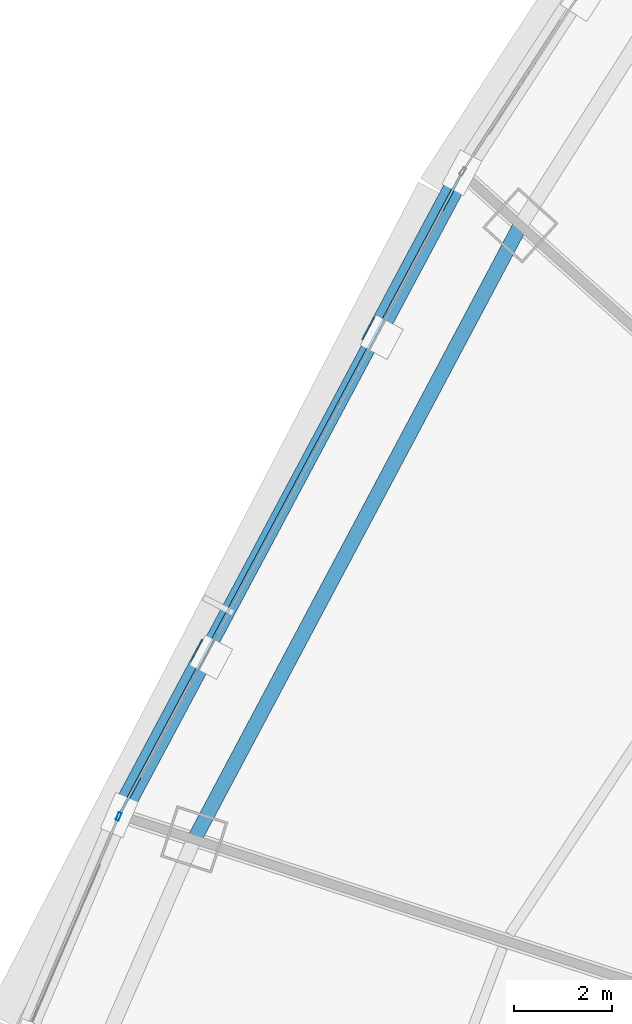
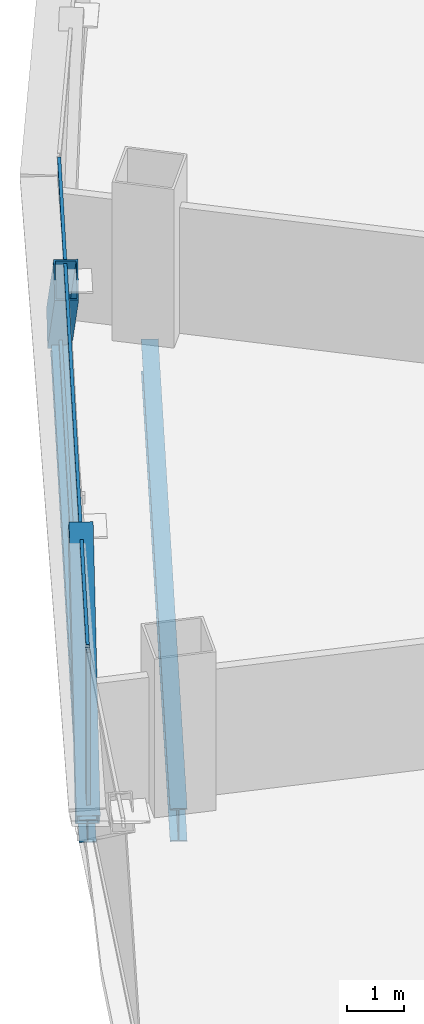
# One storey, part 14 of 42: 5 members, 2 beams, 2 elements without a shape of their own.
"""IFC4 building model written with IfcOpenShell, lengths in metres."""

from ifc_helpers import new_model, si_unit, direction, frame, origin, origin_2d, place, context, subcontext, project, spatial, hollow_rectangle, i_section, extrude, source, transform, mapped, material, layer, layer_set, material_profile, profile_set, type_object, element, aggregate, save


model = new_model("IFC4")

# Units and contexts
model_context = context("Model", 3, precision=1e-05, world=origin(), true_north=direction((0.0, 1.0)))
body_context = subcontext(model_context, "Body", "Model", "MODEL_VIEW")
ifc_project = project(units=[si_unit("LENGTHUNIT", "METRE"), si_unit("AREAUNIT", "SQUARE_METRE"), si_unit("VOLUMEUNIT", "CUBIC_METRE"), si_unit("PLANEANGLEUNIT", "RADIAN"), si_unit("MASSUNIT", "GRAM", prefix="KILO"), si_unit("THERMODYNAMICTEMPERATUREUNIT", "KELVIN"), si_unit("POWERUNIT", "WATT")], contexts=[model_context])

# Site, building, storey
site_placement = place(None, origin())
site = spatial("IfcSite", under=ifc_project, at=site_placement, CompositionType="ELEMENT")
building_placement = place(site_placement, origin())
building = spatial("IfcBuilding", under=site, at=building_placement, Name="Yunzhuo Pagoda Commons", CompositionType="ELEMENT")
storey_placement = place(building_placement, frame((0.0, 0.0, 48.550048828125)))
storey = spatial("IfcBuildingStorey", under=building, at=storey_placement, Name="L12", CompositionType="ELEMENT", Elevation=48.550048828125)

# Beams
ifc_material_1 = material(Name="Structural steel Q355B", Category="steel")
ifc_material_profile_1 = material_profile(ifc_material_1, i_section(OverallWidth=0.300048828125, OverallDepth=0.699951171875, WebThickness=0.012939453125, FlangeThickness=0.02392578125, at=origin_2d()), Name="Structural steel Q355B")
ifc_profile_set_1 = profile_set([ifc_material_profile_1], Name="Structural steel Q355B")
beam_type_1 = type_object("IfcBeamType", Name="B-RG1 Beam HN 700x300x13x24", PredefinedType="BEAM", material=ifc_profile_set_1)
shared_shape_1 = source(origin(), body_context, "Body", "SweptSolid", [
    extrude(i_section(OverallWidth=0.300048828125, OverallDepth=0.699951171875, WebThickness=0.012939453125, FlangeThickness=0.02392578125, at=origin_2d()), origin(), (0.0, 0.0, 1.0), 14.25390625),
])
beam_1_placement = place(storey_placement, frame((22.351318359375, 56.79443359375, -0.610107421875), z_axis=(-0.469118073628, -0.883135455633, 0.0), x_axis=(0.883135455633, -0.469118073628, 0.0)))
element("IfcBeam", 1, at=beam_1_placement, inside=storey, type_object=beam_type_1, Name="L12 column-ring beam 10", PredefinedType="BEAM", context=body_context, shape_type="MappedRepresentation", body=[
    mapped(shared_shape_1, transform((0.0, 0.0, 0.0), scale=1.0)),
])
ifc_material_profile_2 = material_profile(ifc_material_1, i_section(OverallWidth=0.300048828125, OverallDepth=0.488037109375, WebThickness=0.010986328125, FlangeThickness=0.01806640625, at=origin_2d()), Name="Structural steel Q355B")
ifc_profile_set_2 = profile_set([ifc_material_profile_2], Name="Structural steel Q355B")
beam_type_2 = type_object("IfcBeamType", Name="B-SP1 Beam HM 488x300x11x18", PredefinedType="BEAM", material=ifc_profile_set_2)
shared_shape_2 = source(origin(), body_context, "Body", "SweptSolid", [
    extrude(i_section(OverallWidth=0.300048828125, OverallDepth=0.488037109375, WebThickness=0.010986328125, FlangeThickness=0.01806640625, at=origin_2d()), origin(), (0.0, 0.0, 1.0), 14.924072265625),
])
beam_2_placement = place(storey_placement, frame((21.152587890625, 57.873291015625, -0.504150390625), z_axis=(-0.470660405107, -0.882314446819, 0.0), x_axis=(0.882314446819, -0.470660405107, 0.0)))
element("IfcBeam", 2, at=beam_2_placement, inside=storey, type_object=beam_type_2, Name="L12 facade edge spandrel beam F3.2", PredefinedType="BEAM", context=body_context, shape_type="MappedRepresentation", body=[
    mapped(shared_shape_2, transform((0.0, 0.0, 0.0), scale=1.0)),
])

# Members
ifc_material_2 = material(Name="Structural steel Q420B", Category="steel")
ifc_material_profile_3 = material_profile(ifc_material_2, hollow_rectangle(XDim=0.419921875, YDim=0.719970703125, WallThickness=0.028076171875, at=origin_2d()), Name="Structural steel Q420B")
ifc_profile_set_3 = profile_set([ifc_material_profile_3], Name="Structural steel Q420B")
member_type_1 = type_object("IfcMemberType", Name="M-DL1 Brace BOX 720x420x28", PredefinedType="BRACE", material=ifc_profile_set_3)
shared_shape_3 = source(origin(), body_context, "Body", "SweptSolid", [
    extrude(hollow_rectangle(XDim=0.419921875, YDim=0.719970703125, WallThickness=0.028076171875, at=origin_2d()), origin(), (0.0, 0.0, 1.0), 5.20556640625),
])
for number, where, z_axis, x_axis, name in (
    (3, (21.152587890625, 57.873291015625, -0.260009765625), (-0.337355825216, -0.632407333131, 0.697317726861), (0.882311277354, -0.470666346634, 0.0), "L12 facade diamond brace F3.2L"),
    (4, (14.12841796875, 44.70556640625, -0.260009765625), (0.337397387098, 0.632397326609, 0.697306693268), (-0.882284103691, 0.47071728285, 0.0), "L12 facade diamond brace F3.2R"),
):
    element("IfcMember", number, at=place(storey_placement, frame(where, z_axis=z_axis, x_axis=x_axis)), inside=storey, type_object=member_type_1, Name=name, PredefinedType="BRACE", context=body_context, shape_type="MappedRepresentation", body=[
        mapped(shared_shape_3, transform((0.0, 0.0, 0.0), scale=1.0)),
    ])

# Curtain wall, member
ifc_material_3 = material(Name="Anodized aluminium 6063-T6", Category="aluminium")
ifc_layer = layer(ifc_material_3, 0.1650390625)
ifc_layer_set = layer_set([ifc_layer], Name="Anodized aluminium 6063-T6")
curtain_wall_type = type_object("IfcCurtainWallType", Name="CW-LOW Low-Zone Ribbon Curtain Wall", PredefinedType="NOTDEFINED", material=ifc_layer_set)
curtain_wall_1_placement = place(storey_placement, origin())
curtain_wall_1 = element("IfcCurtainWall", 5, at=curtain_wall_1_placement, inside=storey, type_object=curtain_wall_type, Name="L12 curtain wall CW-L12-F3B4", PredefinedType="NOTDEFINED")
ifc_material_profile_4 = material_profile(ifc_material_3, hollow_rectangle(XDim=0.06494140625, YDim=0.1650390625, WallThickness=0.00390625, at=origin_2d()), Name="Anodized aluminium 6063-T6")
ifc_profile_set_4 = profile_set([ifc_material_profile_4], Name="Anodized aluminium 6063-T6")
member_type_2 = type_object("IfcMemberType", Name="CW-LOW-M Mullion RHS 165x65x4", PredefinedType="MULLION", material=ifc_profile_set_4)
shared_shape_4 = source(origin(), body_context, "Body", "SweptSolid", [
    extrude(hollow_rectangle(XDim=0.06494140625, YDim=0.1650390625, WallThickness=0.00390625, at=origin_2d()), origin(), (0.0, 0.0, 1.0), 3.369873046875),
])
member_1_placement = place(storey_placement, frame((14.11572265625, 44.67578125, 0.0), z_axis=(0.0, 0.0, 1.0), x_axis=(0.918865619656, -0.394570618538, 0.0)))
member_1 = element("IfcMember", 6, at=member_1_placement, type_object=member_type_2, Name="CW mullion 1", PredefinedType="MULLION", context=body_context, shape_type="MappedRepresentation", body=[
    mapped(shared_shape_4, transform((0.0, 0.0, 0.0), scale=1.0)),
])
aggregate(curtain_wall_1, [member_1])

# Curtain wall, members
curtain_wall_2_placement = place(storey_placement, origin())
curtain_wall_2 = element("IfcCurtainWall", 7, at=curtain_wall_2_placement, inside=storey, type_object=curtain_wall_type, Name="L12 curtain wall CW-L12-F3B3", PredefinedType="NOTDEFINED")
ifc_material_profile_5 = material_profile(ifc_material_3, hollow_rectangle(XDim=0.06005859375, YDim=0.139892578125, WallThickness=0.00341796875, at=origin_2d()), Name="Anodized aluminium 6063-T6")
ifc_profile_set_5 = profile_set([ifc_material_profile_5], Name="Anodized aluminium 6063-T6")
member_type_3 = type_object("IfcMemberType", Name="CW-LOW-T Transom RHS 140x60x3.5", PredefinedType="USERDEFINED", material=ifc_profile_set_5)
shared_shape_5 = source(origin(), body_context, "Body", "SweptSolid", [
    extrude(hollow_rectangle(XDim=0.06005859375, YDim=0.139892578125, WallThickness=0.00341796875, at=origin_2d()), origin(), (0.0, 0.0, 1.0), 14.7939453125),
])
member_2_placement = place(storey_placement, frame((21.1220703125, 57.816162109375, 0.030029296875), z_axis=(-0.470656757161, -0.882316392763, 0.0), x_axis=(0.882316392763, -0.470656757161, 0.0)))
member_2 = element("IfcMember", 8, at=member_2_placement, type_object=member_type_3, Name="CW transom 1.1", ObjectType="TRANSOM", PredefinedType="USERDEFINED", context=body_context, shape_type="MappedRepresentation", body=[
    mapped(shared_shape_5, transform((0.0, 0.0, 0.0), scale=1.0)),
])
member_3_placement = place(storey_placement, frame((21.1220703125, 57.816162109375, 3.33984375), z_axis=(-0.470656757161, -0.882316392763, 0.0), x_axis=(0.882316392763, -0.470656757161, 0.0)))
member_3 = element("IfcMember", 9, at=member_3_placement, type_object=member_type_3, Name="CW transom 1.2", ObjectType="TRANSOM", PredefinedType="USERDEFINED", context=body_context, shape_type="MappedRepresentation", body=[
    mapped(shared_shape_5, transform((0.0, 0.0, 0.0), scale=1.0)),
])
aggregate(curtain_wall_2, [member_2, member_3])

save(model, "model.ifc")
